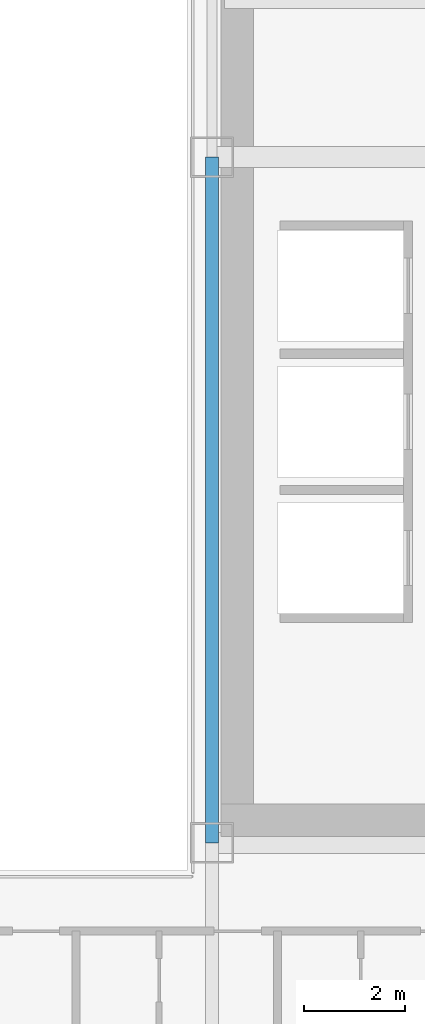
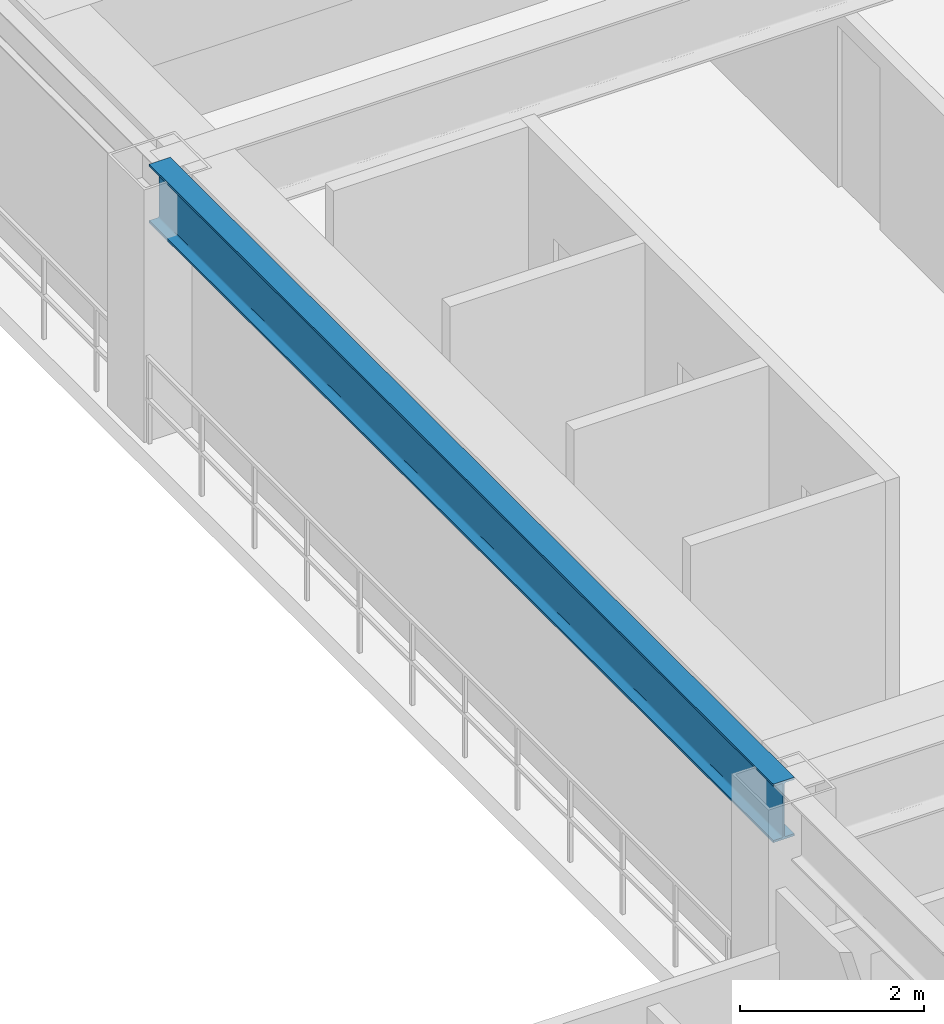
# One storey, part 12 of 36: 1 beam.
"""IFC4 building model written with IfcOpenShell, lengths in metres."""

from ifc_helpers import new_model, si_unit, direction, frame, origin, origin_2d, place, context, subcontext, project, spatial, i_section, extrude, source, transform, mapped, material, material_profile, profile_set, type_object, element, save


model = new_model("IFC4")

# Units and contexts
model_context = context("Model", 3, precision=1e-05, world=origin(), true_north=direction((0.0, 1.0)))
body_context = subcontext(model_context, "Body", "Model", "MODEL_VIEW")
ifc_project = project(units=[si_unit("LENGTHUNIT", "METRE"), si_unit("AREAUNIT", "SQUARE_METRE"), si_unit("VOLUMEUNIT", "CUBIC_METRE"), si_unit("PLANEANGLEUNIT", "RADIAN"), si_unit("MASSUNIT", "GRAM", prefix="KILO")], contexts=[model_context])

# Site, building, storey
site_placement = place(None, origin())
site = spatial("IfcSite", under=ifc_project, at=site_placement, CompositionType="ELEMENT")
building_placement = place(site_placement, origin())
building = spatial("IfcBuilding", under=site, at=building_placement, Name="Ocotamira Hotel", CompositionType="ELEMENT")
storey_placement = place(building_placement, frame((0.0, 0.0, 129.60009765625)))
storey = spatial("IfcBuildingStorey", under=building, at=storey_placement, Name="L32", CompositionType="ELEMENT", Elevation=129.60009765625)

# Beam
ifc_material = material(Name="Steel ASTM A992 Grade 50", Category="steel")
ifc_material_profile = material_profile(ifc_material, i_section(OverallWidth=0.26611328125, OverallDepth=0.779052734375, WebThickness=0.0166015625, FlangeThickness=0.030029296875, FilletRadius=0.01806640625, at=origin_2d()), Name="W30X148")
ifc_profile_set = profile_set([ifc_material_profile], Name="Steel ASTM A992 Grade 50")
beam_type = type_object("IfcBeamType", Name="BM-GIRD-W30X148", PredefinedType="BEAM", material=ifc_profile_set)
shared_shape = source(origin(), body_context, "Body", "SweptSolid", [
    extrude(i_section(OverallWidth=0.26611328125, OverallDepth=0.779052734375, WebThickness=0.0166015625, FlangeThickness=0.030029296875, FilletRadius=0.01806640625, at=origin_2d()), origin(), (0.0, 0.0, 1.0), 13.599853515625),
])
beam_placement = place(storey_placement, frame((40.5, 14.550048828125, 2.970458984375), z_axis=(0.0, 1.0, 0.0), x_axis=(-1.0, 0.0, 0.0)))
element("IfcBeam", 1, at=beam_placement, inside=storey, type_object=beam_type, Name="L32 Beam X40.5 Y14.55-28.15", PredefinedType="BEAM", context=body_context, shape_type="MappedRepresentation", body=[
    mapped(shared_shape, transform((0.0, 0.0, 0.0), scale=1.0)),
])

save(model, "model.ifc")
